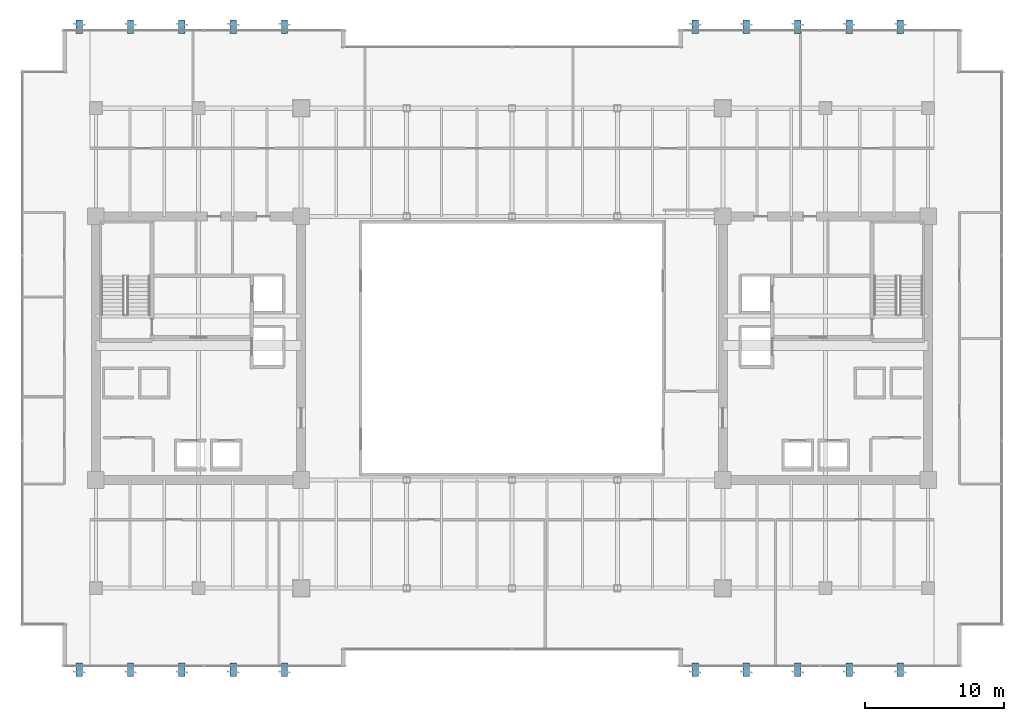
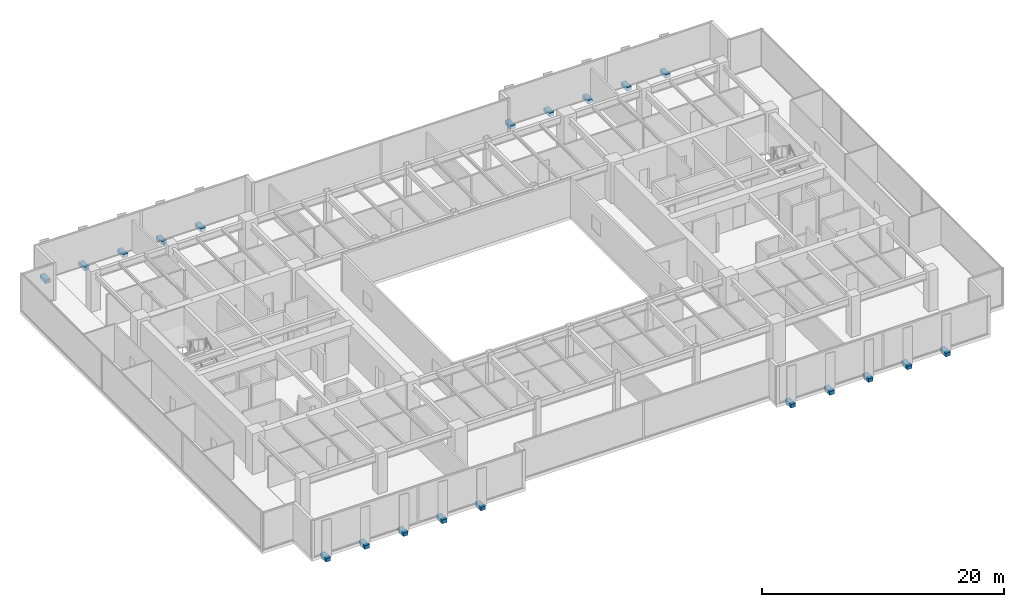
# One storey, part 29 of 34: 20 discrete accessories.
"""IFC4 building model written with IfcOpenShell, lengths in metres."""

import ifcopenshell
import ifcopenshell.guid

model = None  # the IFC model being written
_history = None  # IfcOwnerHistory: only IFC2X3 demands one
_inside = {}  # id of a spatial element -> (the spatial element, [elements in it])
_under = {}  # id of a project, library or spatial element -> (it, [spatial elements below it])
_declared = {}  # id of a project -> (the project, [libraries it declares])
_typed = {}  # id of a type object -> (the type object, [elements of that type])
_made_of = {}  # id of a material, layer set ... -> (it, [elements and type objects made of it])


def new_model(schema):
    """Start an empty IFC model of exactly this schema.

    Asked for "IFC4X3", IfcOpenShell would pick the latest addendum, in which some entities
    have other attributes; the version numbers below select the first issue.
    IFC2X3 requires an IfcOwnerHistory on every rooted entity: one is made here for all.
    """
    global model, _history
    if schema == "IFC4X3":
        model = ifcopenshell.file(schema_version=(4, 3, 0, 0))
    else:
        model = ifcopenshell.file(schema=schema)
    _inside.clear()
    _under.clear()
    _declared.clear()
    _typed.clear()
    _made_of.clear()
    _history = None
    if model.schema == "IFC2X3":
        org = make("IfcOrganization", Name="unknown")
        user = make(
            "IfcPersonAndOrganization",
            ThePerson=make("IfcPerson", FamilyName="unknown"),
            TheOrganization=org,
        )
        app = make(
            "IfcApplication",
            ApplicationDeveloper=org,
            Version="unknown",
            ApplicationFullName="unknown",
            ApplicationIdentifier="unknown",
        )
        _history = make(
            "IfcOwnerHistory",
            OwningUser=user,
            OwningApplication=app,
            ChangeAction="ADDED",
            CreationDate=0,
        )
    return model


def make(cls, **values):
    """One entity of the class cls with the attributes given. An attribute that is None is left unset."""
    return model.create_entity(
        cls, **{name: value for name, value in values.items() if value is not None}
    )


def rooted(cls, **values):
    """An entity with a GlobalId (a new one), such as an element, a storey or a relation."""
    return make(cls, GlobalId=ifcopenshell.guid.new(), OwnerHistory=_history, **values)


def si_unit(unit_type, name, prefix=None):
    """IfcSIUnit, for example si_unit("LENGTHUNIT", "METRE", prefix="MILLI")."""
    return make("IfcSIUnit", UnitType=unit_type, Prefix=prefix, Name=name)


def assignment(units):
    """IfcUnitAssignment: the units of a project."""
    return None if units is None else make("IfcUnitAssignment", Units=units)


def point(xyz):
    """IfcCartesianPoint."""
    return None if xyz is None else make("IfcCartesianPoint", Coordinates=xyz)


def direction(xyz):
    """IfcDirection."""
    return None if xyz is None else make("IfcDirection", DirectionRatios=xyz)


def frame(location, z_axis=None, x_axis=None):
    """IfcAxis2Placement3D, a coordinate frame: its origin and axes. An axis left out is left unset."""
    return make(
        "IfcAxis2Placement3D",
        Location=point(location),
        Axis=direction(z_axis),
        RefDirection=direction(x_axis),
    )


def frame_2d(location, x_axis=None):
    """IfcAxis2Placement2D, a coordinate frame in the plane: its origin and x axis."""
    return make(
        "IfcAxis2Placement2D", Location=point(location), RefDirection=direction(x_axis)
    )


def origin():
    """The frame at (0, 0, 0) with its axes left unset."""
    return frame((0.0, 0.0, 0.0))


def origin_2d():
    """The frame at (0, 0) in the plane with its x axis left unset."""
    return frame_2d((0.0, 0.0))


def place(relative_to, where):
    """IfcLocalPlacement: puts the frame where relative to a parent placement (None: the world)."""
    return make(
        "IfcLocalPlacement", PlacementRelTo=relative_to, RelativePlacement=where
    )


def context(
    kind, dimensions, precision=None, world=None, true_north=None, identifier=None
):
    """IfcGeometricRepresentationContext, for example the 3D "Model" context."""
    return make(
        "IfcGeometricRepresentationContext",
        ContextIdentifier=identifier,
        ContextType=kind,
        CoordinateSpaceDimension=dimensions,
        Precision=precision,
        WorldCoordinateSystem=world,
        TrueNorth=true_north,
    )


def subcontext(parent, identifier, kind, view, scale=None):
    """IfcGeometricRepresentationSubContext, for example "Body" below "Model"."""
    return make(
        "IfcGeometricRepresentationSubContext",
        ContextIdentifier=identifier,
        ContextType=kind,
        ParentContext=parent,
        TargetScale=scale,
        TargetView=view,
    )


def project(units=None, contexts=None):
    """IfcProject with its units and contexts."""
    return rooted(
        "IfcProject",
        Name="project",
        RepresentationContexts=contexts,
        UnitsInContext=assignment(units),
    )


def spatial(cls, under=None, at=None, **own):
    """A site, building, storey or space (cls), placed at a placement, below another one or the project."""
    s = rooted(cls, ObjectPlacement=at, **own)
    if under is not None:
        _under.setdefault(under.id(), (under, []))[1].append(s)
    return s


def profile(cls, at=None, kind="AREA", **sizes):
    """A parametric profile (cls). Its sizes go by their IFC names, for example OverallWidth=200.0."""
    return make(cls, ProfileType=kind, Position=at, **sizes)


def rectangle(**sizes):
    """IfcRectangleProfileDef."""
    return profile("IfcRectangleProfileDef", **sizes)


def extrude(swept, where, along, depth):
    """IfcExtrudedAreaSolid: the profile swept, set in the frame where, extruded along a direction by depth."""
    return make(
        "IfcExtrudedAreaSolid",
        SweptArea=swept,
        Position=where,
        ExtrudedDirection=direction(along),
        Depth=depth,
    )


def shape(context_of_items, identifier, shape_type, items):
    """IfcShapeRepresentation: the items that make up one representation, for example the "Body"."""
    return make(
        "IfcShapeRepresentation",
        ContextOfItems=context_of_items,
        RepresentationIdentifier=identifier,
        RepresentationType=shape_type,
        Items=items,
    )


def source(mapping_origin, context_of_items, identifier, shape_type, items):
    """IfcRepresentationMap: a shape defined once, which mapped items show again and again."""
    return make(
        "IfcRepresentationMap",
        MappingOrigin=mapping_origin,
        MappedRepresentation=shape(context_of_items, identifier, shape_type, items),
    )


def transform(
    local_origin,
    x_axis=None,
    y_axis=None,
    z_axis=None,
    scale=None,
    scale2=None,
    scale3=None,
    uniform=True,
):
    """IfcCartesianTransformationOperator3D, or its non-uniform kind. x_axis, y_axis, z_axis: its Axis1, 2, 3."""
    if uniform:
        return make(
            "IfcCartesianTransformationOperator3D",
            Axis1=direction(x_axis),
            Axis2=direction(y_axis),
            LocalOrigin=point(local_origin),
            Scale=scale,
            Axis3=direction(z_axis),
        )
    return make(
        "IfcCartesianTransformationOperator3DnonUniform",
        Axis1=direction(x_axis),
        Axis2=direction(y_axis),
        LocalOrigin=point(local_origin),
        Scale=scale,
        Axis3=direction(z_axis),
        Scale2=scale2,
        Scale3=scale3,
    )


def mapped(mapping_source, mapping_target):
    """IfcMappedItem: shows the shape of a source again, moved by a transform."""
    return make(
        "IfcMappedItem", MappingSource=mapping_source, MappingTarget=mapping_target
    )


def material(Name=None, Category=None):
    """IfcMaterial."""
    return make("IfcMaterial", Name=Name, Category=Category)


def made_of(thing, what):
    """Note that an element or type object is made of a material, layer set ...; save() writes the relation."""
    if what is not None:
        _made_of.setdefault(what.id(), (what, []))[1].append(thing)
    return thing


def type_object(cls, material=None, **own):
    """A type object (cls), such as IfcWallType, which elements share."""
    return made_of(rooted(cls, **own), material)


def type_shapes(of_type, sources):
    """Give a type object the sources (RepresentationMaps) that its elements show as mapped items."""
    of_type.RepresentationMaps = sources


def element(
    cls,
    number,
    at=None,
    inside=None,
    cuts=None,
    type_object=None,
    material=None,
    context=None,
    identifier="Body",
    shape_type=None,
    held_by="IfcProductDefinitionShape",
    body=None,
    shapes=None,
    **own,
):
    """One element of the class cls, such as IfcWall. Its Tag is "e" and its number.

    at: its placement. inside: the storey or other place that contains it. cuts: it is an
    opening in that element (IfcRelVoidsElement). A single representation is given by context,
    identifier, shape_type and body (its items); several are given by shapes. held_by: the class
    of the entity that holds the representations. save() writes the other relations.
    """
    e = rooted(cls, Tag="e%d" % number, ObjectPlacement=at, **own)
    if body is not None:
        shapes = [shape(context, identifier, shape_type, body)]
    if shapes is not None:
        e.Representation = make(held_by, Representations=shapes)
    if inside is not None:
        _inside.setdefault(inside.id(), (inside, []))[1].append(e)
    if cuts is not None:
        rooted(
            "IfcRelVoidsElement", RelatingBuildingElement=cuts, RelatedOpeningElement=e
        )
    if type_object is not None:
        _typed.setdefault(type_object.id(), (type_object, []))[1].append(e)
    return made_of(e, material)


def aggregate(whole, parts):
    """IfcRelAggregates: a whole, such as a stair, and the parts it consists of."""
    return rooted("IfcRelAggregates", RelatingObject=whole, RelatedObjects=parts)


def save(model, path):
    """Write the relations noted so far, then the file.

    IfcRelAggregates (storeys below a building ...), IfcRelContainedInSpatialStructure (elements
    in a storey), IfcRelDefinesByType, IfcRelAssociatesMaterial and IfcRelDeclares: one each for
    every whole, place, type object, material and project.
    """
    for whole, parts in _under.values():
        aggregate(whole, parts)
    for where, things in _inside.values():
        rooted(
            "IfcRelContainedInSpatialStructure",
            RelatedElements=things,
            RelatingStructure=where,
        )
    for kind, things in _typed.values():
        rooted("IfcRelDefinesByType", RelatedObjects=things, RelatingType=kind)
    for what, things in _made_of.values():
        rooted("IfcRelAssociatesMaterial", RelatedObjects=things, RelatingMaterial=what)
    for by, libraries in _declared.values():
        rooted("IfcRelDeclares", RelatingContext=by, RelatedDefinitions=libraries)
    model.write(path)


model = new_model("IFC4")

# Units and contexts
model_context = context("Model", 3, precision=1e-05, world=origin(), true_north=direction((0.0, 1.0)))
body_context = subcontext(model_context, "Body", "Model", "MODEL_VIEW")
ifc_project = project(units=[si_unit("LENGTHUNIT", "METRE"), si_unit("AREAUNIT", "SQUARE_METRE"), si_unit("VOLUMEUNIT", "CUBIC_METRE"), si_unit("PLANEANGLEUNIT", "RADIAN"), si_unit("MASSUNIT", "GRAM", prefix="KILO")], contexts=[model_context])

# Site, building, storey
site_placement = place(None, origin())
site = spatial("IfcSite", under=ifc_project, at=site_placement, CompositionType="ELEMENT")
building_placement = place(site_placement, origin())
building = spatial("IfcBuilding", under=site, at=building_placement, Name="Haelvirn Gate Laboratories", CompositionType="ELEMENT")
storey_placement = place(building_placement, frame((0.0, 0.0, 109.199951171875)))
storey = spatial("IfcBuildingStorey", under=building, at=storey_placement, Name="L26", CompositionType="ELEMENT", Elevation=109.199951171875)

# Discrete accessories
ifc_material = material(Name="Steel SM355 & duplex stainless anchorage", Category="steel")
discrete_accessory_type = type_object("IfcDiscreteAccessoryType", Name="ACC-BRK-FIN", PredefinedType="BRACKET", material=ifc_material)
shared_shape = source(origin(), body_context, "Body", "SweptSolid", [
    extrude(rectangle(XDim=0.4599609375, YDim=0.9599609375, at=origin_2d()), origin(), (0.0, 0.0, 1.0), 0.360107421875),
])
type_shapes(discrete_accessory_type, [shared_shape])
for number, where, z_axis, x_axis, name in (
    (1, (6.199951171875, 1.1201171875, -0.31982421875), (0.0, 0.0, 1.0), (1.0, 0.0, 0.0), "L26 Stainless Fin Outrigger Bracket S01"),
    (2, (6.199951171875, 47.47998046875, -0.31982421875), (0.0, 0.0, 1.0), (1.0, 0.0, 0.0), "L26 Stainless Fin Outrigger Bracket N01"),
    (3, (9.89990234375, 1.1201171875, -0.31982421875), (0.0, 0.0, 1.0), (1.0, 0.0, 0.0), "L26 Stainless Fin Outrigger Bracket S02"),
    (4, (9.89990234375, 47.47998046875, -0.31982421875), (0.0, 0.0, 1.0), (1.0, 0.0, 0.0), "L26 Stainless Fin Outrigger Bracket N02"),
    (5, (13.60009765625, 1.1201171875, -0.31982421875), (0.0, 0.0, 1.0), (1.0, 0.0, 0.0), "L26 Stainless Fin Outrigger Bracket S03"),
    (6, (13.60009765625, 47.47998046875, -0.31982421875), (0.0, 0.0, 1.0), (1.0, 0.0, 0.0), "L26 Stainless Fin Outrigger Bracket N03"),
    (7, (17.300048828125, 1.1201171875, -0.31982421875), (0.0, 0.0, 1.0), (1.0, 0.0, 0.0), "L26 Stainless Fin Outrigger Bracket S04"),
    (8, (17.300048828125, 47.47998046875, -0.31982421875), (0.0, 0.0, 1.0), (1.0, 0.0, 0.0), "L26 Stainless Fin Outrigger Bracket N04"),
    (9, (21.0, 1.1201171875, -0.31982421875), (0.0, 0.0, 1.0), (1.0, 0.0, 0.0), "L26 Stainless Fin Outrigger Bracket S05"),
    (10, (21.0, 47.47998046875, -0.31982421875), (0.0, 0.0, 1.0), (1.0, 0.0, 0.0), "L26 Stainless Fin Outrigger Bracket N05"),
    (11, (50.60009765625, 1.1201171875, -0.31982421875), (0.0, 0.0, 1.0), (1.0, 0.0, 0.0), "L26 Stainless Fin Outrigger Bracket S06"),
    (12, (50.60009765625, 47.47998046875, -0.31982421875), (0.0, 0.0, 1.0), (1.0, 0.0, 0.0), "L26 Stainless Fin Outrigger Bracket N06"),
    (13, (54.300048828125, 1.1201171875, -0.31982421875), (0.0, 0.0, 1.0), (1.0, 0.0, 0.0), "L26 Stainless Fin Outrigger Bracket S07"),
    (14, (54.300048828125, 47.47998046875, -0.31982421875), (0.0, 0.0, 1.0), (1.0, 0.0, 0.0), "L26 Stainless Fin Outrigger Bracket N07"),
    (15, (58.0, 1.1201171875, -0.31982421875), (0.0, 0.0, 1.0), (1.0, 0.0, 0.0), "L26 Stainless Fin Outrigger Bracket S08"),
    (16, (58.0, 47.47998046875, -0.31982421875), (0.0, 0.0, 1.0), (1.0, 0.0, 0.0), "L26 Stainless Fin Outrigger Bracket N08"),
    (17, (61.699951171875, 1.1201171875, -0.31982421875), (0.0, 0.0, 1.0), (1.0, 0.0, 0.0), "L26 Stainless Fin Outrigger Bracket S09"),
    (18, (61.699951171875, 47.47998046875, -0.31982421875), (0.0, 0.0, 1.0), (1.0, 0.0, 0.0), "L26 Stainless Fin Outrigger Bracket N09"),
    (19, (65.39990234375, 1.1201171875, -0.31982421875), (0.0, 0.0, 1.0), (1.0, 0.0, 0.0), "L26 Stainless Fin Outrigger Bracket S10"),
    (20, (65.39990234375, 47.47998046875, -0.31982421875), (0.0, 0.0, 1.0), (1.0, 0.0, 0.0), "L26 Stainless Fin Outrigger Bracket N10"),
):
    element("IfcDiscreteAccessory", number, at=place(storey_placement, frame(where, z_axis=z_axis, x_axis=x_axis)), inside=storey, type_object=discrete_accessory_type, Name=name, PredefinedType="BRACKET", context=body_context, shape_type="MappedRepresentation", body=[
        mapped(shared_shape, transform((0.0, 0.0, 0.0), scale=1.0)),
    ])

save(model, "model.ifc")
